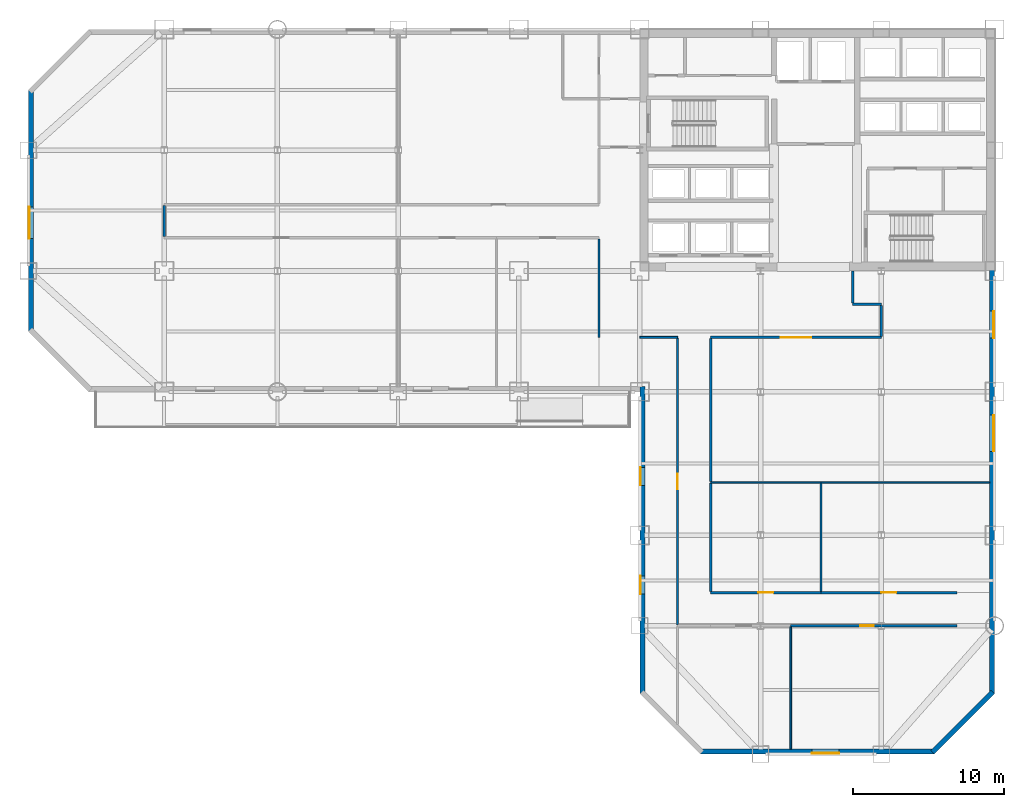
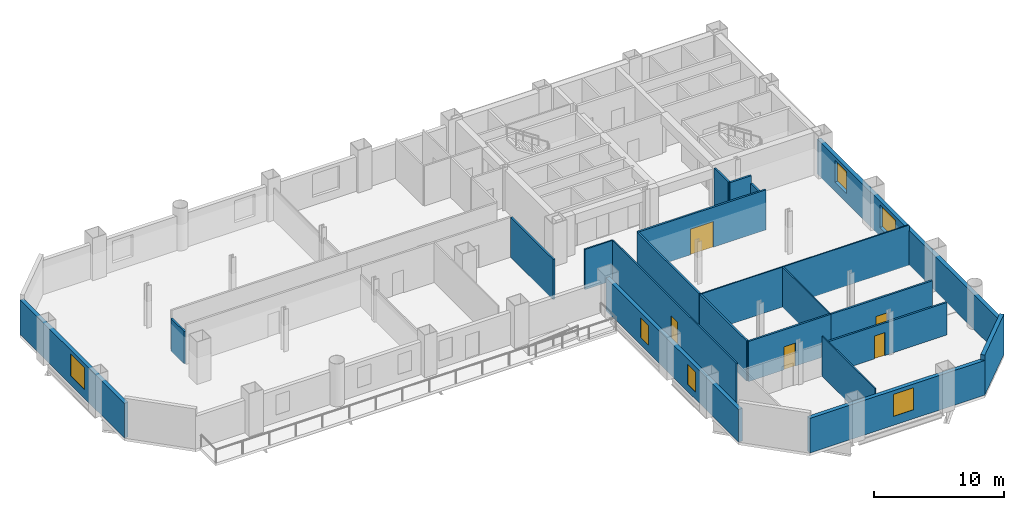
# One storey, part 5 of 9: 22 walls, 6 windows, 5 doors, 11 openings.
"""IFC4 building model written with IfcOpenShell, lengths in metres."""

from ifc_helpers import new_model, si_unit, direction, frame, frame_2d, origin, place, context, subcontext, project, spatial, rectangle, extrude, material, layer, layer_set, type_object, element, fill, save


model = new_model("IFC4")

# Units and contexts
model_context = context("Model", 3, precision=1e-05, world=origin(), true_north=direction((0.0, 1.0)))
body_context = subcontext(model_context, "Body", "Model", "MODEL_VIEW")
ifc_project = project(units=[si_unit("LENGTHUNIT", "METRE"), si_unit("AREAUNIT", "SQUARE_METRE"), si_unit("VOLUMEUNIT", "CUBIC_METRE"), si_unit("PLANEANGLEUNIT", "RADIAN"), si_unit("MASSUNIT", "GRAM", prefix="KILO")], contexts=[model_context])

# Site, building, storey
site_placement = place(None, origin())
site = spatial("IfcSite", under=ifc_project, at=site_placement, CompositionType="ELEMENT")
building_placement = place(site_placement, origin())
building = spatial("IfcBuilding", under=site, at=building_placement, Name="Qianrong Seaharbour Tower", CompositionType="ELEMENT")
storey_placement = place(building_placement, frame((0.0, 0.0, 64.199951171875)))
storey = spatial("IfcBuildingStorey", under=building, at=storey_placement, Name="L15", CompositionType="ELEMENT", Elevation=64.199951171875)

# Walls
ifc_material_1 = material(Name="Fire-rated acoustic gypsum board partition")
ifc_layer_1 = layer(ifc_material_1, 0.1650390625)
ifc_layer_set_1 = layer_set([ifc_layer_1], Name="Fire-rated acoustic gypsum board partition")
wall_type_1 = type_object("IfcWallType", Name="WALL-CORR-PART-165", PredefinedType="PARTITIONING", material=ifc_layer_set_1)
wall_1_placement = place(storey_placement, frame((9.0, 38.2744140625, 0.0), z_axis=(0.0, 0.0, 1.0), x_axis=(0.0, 1.0, 0.0)))
element("IfcWall", 1, at=wall_1_placement, inside=storey, type_object=wall_type_1, Name="L15 Interior Partition Wall 016", PredefinedType="PARTITIONING", context=body_context, shape_type="SweptSolid", body=[
    extrude(rectangle(XDim=2.051025390625, YDim=0.1650390625, at=frame_2d((1.025390625, 0.0))), origin(), (0.0, 0.0, 1.0), 3.0419921875),
])
wall_2_placement = place(storey_placement, frame((37.800048828125, 31.60009765625, 0.0), z_axis=(0.0, 0.0, 1.0), x_axis=(0.0, 1.0, 0.0)))
element("IfcWall", 2, at=wall_2_placement, inside=storey, type_object=wall_type_1, Name="L15 Interior Partition Wall 022", PredefinedType="PARTITIONING", context=body_context, shape_type="SweptSolid", body=[
    extrude(rectangle(XDim=6.525390625, YDim=0.1650390625, at=frame_2d((3.2626953125, 0.0))), origin(), (0.0, 0.0, 1.0), 3.75),
])
wall_3_placement = place(storey_placement, frame((54.60009765625, 36.0, 0.0), z_axis=(0.0, 0.0, 1.0), x_axis=(0.0, -1.0, 0.0)))
element("IfcWall", 3, at=wall_3_placement, inside=storey, type_object=wall_type_1, Name="L15 Interior Partition Wall 023", PredefinedType="PARTITIONING", context=body_context, shape_type="SweptSolid", body=[
    extrude(rectangle(XDim=2.12548828125, YDim=0.1650390625, at=frame_2d((1.062744140625, 0.0))), origin(), (0.0, 0.0, 1.0), 3.75),
])
wall_4_placement = place(storey_placement, frame((54.60009765625, 33.800048828125, 0.0), z_axis=(0.0, 0.0, 1.0), x_axis=(1.0, 0.0, 0.0)))
element("IfcWall", 4, at=wall_4_placement, inside=storey, type_object=wall_type_1, Name="L15 Interior Partition Wall 024", PredefinedType="PARTITIONING", context=body_context, shape_type="SweptSolid", body=[
    extrude(rectangle(XDim=1.89990234375, YDim=0.1650390625, at=frame_2d((0.949951171875, 0.0))), origin(), (0.0, 0.0, 1.0), 3.75),
])
wall_5_placement = place(storey_placement, frame((56.5, 33.7255859375, 0.0), z_axis=(0.0, 0.0, 1.0), x_axis=(0.0, -1.0, 0.0)))
element("IfcWall", 5, at=wall_5_placement, inside=storey, type_object=wall_type_1, Name="L15 Interior Partition Wall 025", PredefinedType="PARTITIONING", context=body_context, shape_type="SweptSolid", body=[
    extrude(rectangle(XDim=2.051025390625, YDim=0.1650390625, at=frame_2d((1.025390625, 0.0))), origin(), (0.0, 0.0, 1.0), 3.0419921875),
])

# Wall, opening, door
wall_6_placement = place(storey_placement, frame((56.5, 31.60009765625, 0.0), z_axis=(0.0, 0.0, 1.0), x_axis=(-1.0, 0.0, 0.0)))
wall_6 = element("IfcWall", 6, at=wall_6_placement, inside=storey, type_object=wall_type_1, Name="L15 Interior Partition Wall 026", PredefinedType="PARTITIONING", context=body_context, shape_type="SweptSolid", body=[
    extrude(rectangle(XDim=11.300048828125, YDim=0.1650390625, at=frame_2d((5.64990234375, 0.0))), origin(), (0.0, 0.0, 1.0), 3.75),
])
opening_1_placement = place(wall_6_placement, frame((4.64990234375, 0.0, 0.0)))
opening_1 = element("IfcOpeningElement", 7, at=opening_1_placement, cuts=wall_6, Name="Opening DA-01", PredefinedType="OPENING", context=body_context, shape_type="SweptSolid", body=[
    extrude(rectangle(XDim=2.0, YDim=2.39990234375, at=frame_2d((1.0, 1.199951171875))), frame((0.0, 0.092529296875, 0.0), z_axis=(0.0, -1.0, 0.0), x_axis=(1.0, 0.0, 0.0)), (0.0, 0.0, 1.0), 0.18505859375),
])
ifc_material_2 = material(Name="Acoustic timber and galvanized steel fire door assembly", Category="steel")
door_type_1 = type_object("IfcDoorType", Name="DOOR-AUD-PAIR-2000x2400", OperationType="DOUBLE_DOOR_SINGLE_SWING", PredefinedType="DOOR", material=ifc_material_2)
door_1_placement = place(opening_1_placement, origin())
door_1 = element("IfcDoor", 8, at=door_1_placement, inside=storey, type_object=door_type_1, Name="L15 Staff Club Assembly Hall Door", OperationType="DOUBLE_DOOR_SINGLE_SWING", OverallHeight=2.39990234375, OverallWidth=2.0, PredefinedType="DOOR", context=body_context, shape_type="SweptSolid", body=[
    extrude(rectangle(XDim=2.0, YDim=2.39990234375, at=frame_2d((1.0, 1.199951171875))), frame((0.0, 0.02490234375, 0.0), z_axis=(0.0, -1.0, 0.0), x_axis=(1.0, 0.0, 0.0)), (0.0, 0.0, 1.0), 0.050048828125),
])
fill(opening_1, door_1)

# Walls
wall_7_placement = place(storey_placement, frame((45.199951171875, 31.525390625, 0.0), z_axis=(0.0, 0.0, 1.0), x_axis=(0.0, -1.0, 0.0)))
element("IfcWall", 9, at=wall_7_placement, inside=storey, type_object=wall_type_1, Name="L15 Interior Partition Wall 028", PredefinedType="PARTITIONING", context=body_context, shape_type="SweptSolid", body=[
    extrude(rectangle(XDim=9.478271484375, YDim=0.1650390625, at=frame_2d((4.7392578125, 0.0))), origin(), (0.0, 0.0, 1.0), 3.75),
])
wall_8_placement = place(storey_placement, frame((45.199951171875, 21.952880859375, 0.0), z_axis=(0.0, 0.0, 1.0), x_axis=(0.0, -1.0, 0.0)))
element("IfcWall", 10, at=wall_8_placement, inside=storey, type_object=wall_type_1, Name="L15 Interior Partition Wall 029", PredefinedType="PARTITIONING", context=body_context, shape_type="SweptSolid", body=[
    extrude(rectangle(XDim=7.178466796875, YDim=0.1650390625, at=frame_2d((3.58935546875, 0.0))), origin(), (0.0, 0.0, 1.0), 3.75),
])

# Wall, opening, door
wall_9_placement = place(storey_placement, frame((45.199951171875, 14.699951171875, 0.0), z_axis=(0.0, 0.0, 1.0), x_axis=(1.0, 0.0, 0.0)))
wall_9 = element("IfcWall", 11, at=wall_9_placement, inside=storey, type_object=wall_type_1, Name="L15 Interior Partition Wall 032", PredefinedType="PARTITIONING", context=body_context, shape_type="SweptSolid", body=[
    extrude(rectangle(XDim=7.300048828125, YDim=0.1650390625, at=frame_2d((3.64990234375, 0.0))), origin(), (0.0, 0.0, 1.0), 3.75),
])
opening_2_placement = place(wall_9_placement, frame((3.14990234375, 0.0, 0.0)))
opening_2 = element("IfcOpeningElement", 12, at=opening_2_placement, cuts=wall_9, Name="Opening DO-01", PredefinedType="OPENING", context=body_context, shape_type="SweptSolid", body=[
    extrude(rectangle(XDim=1.0, YDim=2.14990234375, at=frame_2d((0.5, 1.074951171875))), frame((0.0, 0.092529296875, 0.0), z_axis=(0.0, -1.0, 0.0), x_axis=(1.0, 0.0, 0.0)), (0.0, 0.0, 1.0), 0.18505859375),
])
door_type_2 = type_object("IfcDoorType", Name="DOOR-OFFICE-1000x2150", OperationType="NOTDEFINED", PredefinedType="DOOR", material=ifc_material_2)
door_2_placement = place(opening_2_placement, origin())
door_2 = element("IfcDoor", 13, at=door_2_placement, inside=storey, type_object=door_type_2, Name="L15 Focus Room 1 Door", OperationType="SINGLE_SWING_LEFT", OverallHeight=2.14990234375, OverallWidth=1.0, PredefinedType="DOOR", context=body_context, shape_type="SweptSolid", body=[
    extrude(rectangle(XDim=1.0, YDim=2.14990234375, at=frame_2d((0.5, 1.074951171875))), frame((0.0, 0.02490234375, 0.0), z_axis=(0.0, -1.0, 0.0), x_axis=(1.0, 0.0, 0.0)), (0.0, 0.0, 1.0), 0.050048828125),
])
fill(opening_2, door_2)

wall_10_placement = place(storey_placement, frame((52.5, 14.699951171875, 0.0), z_axis=(0.0, 0.0, 1.0), x_axis=(1.0, 0.0, 0.0)))
wall_10 = element("IfcWall", 14, at=wall_10_placement, inside=storey, type_object=wall_type_1, Name="L15 Interior Partition Wall 033", PredefinedType="PARTITIONING", context=body_context, shape_type="SweptSolid", body=[
    extrude(rectangle(XDim=9.0, YDim=0.1650390625, at=frame_2d((4.5, 0.0))), origin(), (0.0, 0.0, 1.0), 3.75),
])
opening_3_placement = place(wall_10_placement, frame((4.0, 0.0, 0.0)))
opening_3 = element("IfcOpeningElement", 15, at=opening_3_placement, cuts=wall_10, Name="Opening DO-01", PredefinedType="OPENING", context=body_context, shape_type="SweptSolid", body=[
    extrude(rectangle(XDim=1.0, YDim=2.14990234375, at=frame_2d((0.5, 1.074951171875))), frame((0.0, 0.092529296875, 0.0), z_axis=(0.0, -1.0, 0.0), x_axis=(1.0, 0.0, 0.0)), (0.0, 0.0, 1.0), 0.18505859375),
])
door_3_placement = place(opening_3_placement, origin())
door_3 = element("IfcDoor", 16, at=door_3_placement, inside=storey, type_object=door_type_2, Name="L15 Executive Office 2 Door", OperationType="SINGLE_SWING_RIGHT", OverallHeight=2.14990234375, OverallWidth=1.0, PredefinedType="DOOR", context=body_context, shape_type="SweptSolid", body=[
    extrude(rectangle(XDim=1.0, YDim=2.14990234375, at=frame_2d((0.5, 1.074951171875))), frame((0.0, 0.02490234375, 0.0), z_axis=(0.0, -1.0, 0.0), x_axis=(1.0, 0.0, 0.0)), (0.0, 0.0, 1.0), 0.050048828125),
])
fill(opening_3, door_3)

wall_11_placement = place(storey_placement, frame((61.5, 12.5, 0.0), z_axis=(0.0, 0.0, 1.0), x_axis=(-1.0, 0.0, 0.0)))
wall_11 = element("IfcWall", 17, at=wall_11_placement, inside=storey, type_object=wall_type_1, Name="L15 Interior Partition Wall 035", PredefinedType="PARTITIONING", context=body_context, shape_type="SweptSolid", body=[
    extrude(rectangle(XDim=11.0, YDim=0.1650390625, at=frame_2d((5.5, 0.0))), origin(), (0.0, 0.0, 1.0), 3.0419921875),
])
opening_4_placement = place(wall_11_placement, frame((5.5, 0.0, 0.0)))
opening_4 = element("IfcOpeningElement", 18, at=opening_4_placement, cuts=wall_11, Name="Opening DS-01", PredefinedType="OPENING", context=body_context, shape_type="SweptSolid", body=[
    extrude(rectangle(XDim=0.89990234375, YDim=2.14990234375, at=frame_2d((0.449951171875, 1.074951171875))), frame((0.0, 0.092529296875, 0.0), z_axis=(0.0, -1.0, 0.0), x_axis=(1.0, 0.0, 0.0)), (0.0, 0.0, 1.0), 0.18505859375),
])
door_type_3 = type_object("IfcDoorType", Name="DOOR-STORE-900x2150", OperationType="NOTDEFINED", PredefinedType="DOOR", material=ifc_material_2)
door_4_placement = place(opening_4_placement, origin())
door_4 = element("IfcDoor", 19, at=door_4_placement, inside=storey, type_object=door_type_3, Name="L15 Corporate Archive Room 2 Door", OperationType="SINGLE_SWING_LEFT", OverallHeight=2.14990234375, OverallWidth=0.89990234375, PredefinedType="DOOR", context=body_context, shape_type="SweptSolid", body=[
    extrude(rectangle(XDim=0.89990234375, YDim=2.14990234375, at=frame_2d((0.449951171875, 1.074951171875))), frame((0.0, 0.02490234375, 0.0), z_axis=(0.0, -1.0, 0.0), x_axis=(1.0, 0.0, 0.0)), (0.0, 0.0, 1.0), 0.050048828125),
])
fill(opening_4, door_4)

# Walls
ifc_material_3 = material(Name="Demountable aluminium-framed acoustic office partition", Category="aluminium")
ifc_layer_2 = layer(ifc_material_3, 0.110107421875)
ifc_layer_set_2 = layer_set([ifc_layer_2], Name="Demountable aluminium-framed acoustic office partition")
wall_type_2 = type_object("IfcWallType", Name="WALL-DEMOUNT-110", PredefinedType="MOVABLE", material=ifc_layer_set_2)
wall_12_placement = place(storey_placement, frame((52.5, 22.0, 0.0), z_axis=(0.0, 0.0, 1.0), x_axis=(-1.0, 0.0, 0.0)))
element("IfcWall", 20, at=wall_12_placement, inside=storey, type_object=wall_type_2, Name="L15 Interior Partition Wall 039", PredefinedType="MOVABLE", context=body_context, shape_type="SweptSolid", body=[
    extrude(rectangle(XDim=7.300048828125, YDim=0.110107421875, at=frame_2d((3.64990234375, 0.0))), origin(), (0.0, 0.0, 1.0), 3.75),
])
wall_13_placement = place(storey_placement, frame((63.66796875, 22.0, 0.0), z_axis=(0.0, 0.0, 1.0), x_axis=(-1.0, 0.0, 0.0)))
element("IfcWall", 21, at=wall_13_placement, inside=storey, type_object=wall_type_2, Name="L15 Interior Partition Wall 040", PredefinedType="MOVABLE", context=body_context, shape_type="SweptSolid", body=[
    extrude(rectangle(XDim=11.16796875, YDim=0.110107421875, at=frame_2d((5.583984375, 0.0))), origin(), (0.0, 0.0, 1.0), 3.75),
])
wall_14_placement = place(storey_placement, frame((52.5, 21.952880859375, 0.0), z_axis=(0.0, 0.0, 1.0), x_axis=(0.0, -1.0, 0.0)))
element("IfcWall", 22, at=wall_14_placement, inside=storey, type_object=wall_type_2, Name="L15 Interior Partition Wall 041", PredefinedType="MOVABLE", context=body_context, shape_type="SweptSolid", body=[
    extrude(rectangle(XDim=7.178466796875, YDim=0.110107421875, at=frame_2d((3.58935546875, 0.0))), origin(), (0.0, 0.0, 1.0), 3.75),
])
wall_15_placement = place(storey_placement, frame((50.5, 12.425537109375, 0.0), z_axis=(0.0, 0.0, 1.0), x_axis=(0.0, -1.0, 0.0)))
element("IfcWall", 23, at=wall_15_placement, inside=storey, type_object=wall_type_2, Name="L15 Interior Partition Wall 043", PredefinedType="MOVABLE", context=body_context, shape_type="SweptSolid", body=[
    extrude(rectangle(XDim=8.093505859375, YDim=0.110107421875, at=frame_2d((4.046875, 0.0))), origin(), (0.0, 0.0, 1.0), 3.75),
])

# Wall, openings, windows
ifc_material_4 = material(Name="Unitised buff brick on Precast concrete C45/55", Category="masonry")
ifc_layer_3 = layer(ifc_material_4, 0.340087890625)
ifc_layer_set_3 = layer_set([ifc_layer_3], Name="Unitised buff brick on Precast concrete C45/55")
wall_type_3 = type_object("IfcWallType", Name="WALL-EXT-BRICK-BUFF-340", PredefinedType="SOLIDWALL", material=ifc_layer_set_3)
wall_16_placement = place(storey_placement, frame((40.669921875, 8.0, 0.0), z_axis=(0.0, 0.0, 1.0), x_axis=(0.0, 1.0, 0.0)))
wall_16 = element("IfcWall", 24, at=wall_16_placement, inside=storey, type_object=wall_type_3, Name="L15 Exterior Masonry Facade Wall REENTRANT_WEST", PredefinedType="SOLIDWALL", context=body_context, shape_type="SweptSolid", body=[
    extrude(rectangle(XDim=20.340087890625, YDim=0.340087890625, at=frame_2d((10.169921875, 0.0))), origin(), (0.0, 0.0, 1.0), 3.050048828125),
])
opening_5_placement = place(wall_16_placement, frame((6.60009765625, 0.0, 0.699951171875)))
opening_5 = element("IfcOpeningElement", 25, at=opening_5_placement, cuts=wall_16, Name="Opening WN-01", PredefinedType="OPENING", context=body_context, shape_type="SweptSolid", body=[
    extrude(rectangle(XDim=1.199951171875, YDim=1.85009765625, at=frame_2d((0.60009765625, 0.925048828125))), frame((0.0, 0.18017578125, 0.0), z_axis=(0.0, -1.0, 0.0), x_axis=(1.0, 0.0, 0.0)), (0.0, 0.0, 1.0), 0.360107421875),
])
opening_6_placement = place(wall_16_placement, frame((13.800048828125, 0.0, 0.699951171875)))
opening_6 = element("IfcOpeningElement", 26, at=opening_6_placement, cuts=wall_16, Name="Opening WN-01", PredefinedType="OPENING", context=body_context, shape_type="SweptSolid", body=[
    extrude(rectangle(XDim=1.199951171875, YDim=1.85009765625, at=frame_2d((0.60009765625, 0.925048828125))), frame((0.0, 0.18017578125, 0.0), z_axis=(0.0, -1.0, 0.0), x_axis=(1.0, 0.0, 0.0)), (0.0, 0.0, 1.0), 0.360107421875),
])
ifc_material_5 = material(Name="Insulated low-e double glazing in thermally broken aluminium 6063-T6 frame", Category="aluminium")
window_type_1 = type_object("IfcWindowType", Name="WIN-PUNCH-1200x1850", PartitioningType="DOUBLE_PANEL_VERTICAL", PredefinedType="WINDOW", material=ifc_material_5)
window_1_placement = place(opening_5_placement, origin())
window_1 = element("IfcWindow", 27, at=window_1_placement, inside=storey, type_object=window_type_1, Name="L15 Deep-Set Punched Window 00.02", OverallHeight=1.85009765625, OverallWidth=1.199951171875, PartitioningType="DOUBLE_PANEL_VERTICAL", PredefinedType="WINDOW", context=body_context, shape_type="SweptSolid", body=[
    extrude(rectangle(XDim=1.199951171875, YDim=1.85009765625, at=frame_2d((0.60009765625, 0.925048828125))), frame((0.0, 0.150146484375, 0.0), z_axis=(0.0, -1.0, 0.0), x_axis=(1.0, 0.0, 0.0)), (0.0, 0.0, 1.0), 0.06005859375),
])
fill(opening_5, window_1)
window_2_placement = place(opening_6_placement, origin())
window_2 = element("IfcWindow", 28, at=window_2_placement, inside=storey, type_object=window_type_1, Name="L15 Deep-Set Punched Window 00.04", OverallHeight=1.85009765625, OverallWidth=1.199951171875, PartitioningType="DOUBLE_PANEL_VERTICAL", PredefinedType="WINDOW", context=body_context, shape_type="SweptSolid", body=[
    extrude(rectangle(XDim=1.199951171875, YDim=1.85009765625, at=frame_2d((0.60009765625, 0.925048828125))), frame((0.0, 0.150146484375, 0.0), z_axis=(0.0, -1.0, 0.0), x_axis=(1.0, 0.0, 0.0)), (0.0, 0.0, 1.0), 0.06005859375),
])
fill(opening_6, window_2)

# Wall, opening, window
wall_17_placement = place(storey_placement, frame((0.169921875, 32.0, 0.0), z_axis=(0.0, 0.0, 1.0), x_axis=(0.0, 1.0, 0.0)))
wall_17 = element("IfcWall", 29, at=wall_17_placement, inside=storey, type_object=wall_type_3, Name="L15 Exterior Masonry Facade Wall WEST_TIP", PredefinedType="SOLIDWALL", context=body_context, shape_type="SweptSolid", body=[
    extrude(rectangle(XDim=16.0, YDim=0.340087890625, at=frame_2d((8.0, 0.0))), origin(), (0.0, 0.0, 1.0), 3.25),
])
opening_7_placement = place(wall_17_placement, frame((6.14990234375, 0.0, 0.85009765625)))
opening_7 = element("IfcOpeningElement", 30, at=opening_7_placement, cuts=wall_17, Name="Opening WN-06", PredefinedType="OPENING", context=body_context, shape_type="SweptSolid", body=[
    extrude(rectangle(XDim=2.10009765625, YDim=2.050048828125, at=frame_2d((1.050048828125, 1.02490234375))), frame((0.0, 0.18017578125, 0.0), z_axis=(0.0, -1.0, 0.0), x_axis=(1.0, 0.0, 0.0)), (0.0, 0.0, 1.0), 0.360107421875),
])
window_type_2 = type_object("IfcWindowType", Name="WIN-PUNCH-2100x2050", PartitioningType="TRIPLE_PANEL_VERTICAL", PredefinedType="WINDOW", material=ifc_material_5)
window_3_placement = place(opening_7_placement, origin())
window_3 = element("IfcWindow", 31, at=window_3_placement, inside=storey, type_object=window_type_2, Name="L15 Deep-Set Punched Window 03.02", OverallHeight=2.050048828125, OverallWidth=2.10009765625, PartitioningType="TRIPLE_PANEL_VERTICAL", PredefinedType="WINDOW", context=body_context, shape_type="SweptSolid", body=[
    extrude(rectangle(XDim=2.10009765625, YDim=2.050048828125, at=frame_2d((1.050048828125, 1.02490234375))), frame((0.0, 0.150146484375, 0.0), z_axis=(0.0, -1.0, 0.0), x_axis=(1.0, 0.0, 0.0)), (0.0, 0.0, 1.0), 0.06005859375),
])
fill(opening_7, window_3)

# Wall, openings, windows
wall_18_placement = place(storey_placement, frame((63.830078125, 36.050048828125, 0.0), z_axis=(0.0, 0.0, 1.0), x_axis=(0.0, -1.0, 0.0)))
wall_18 = element("IfcWall", 32, at=wall_18_placement, inside=storey, type_object=wall_type_3, Name="L15 Exterior Masonry Facade Wall EAST_WING", PredefinedType="SOLIDWALL", context=body_context, shape_type="SweptSolid", body=[
    extrude(rectangle(XDim=28.050048828125, YDim=0.340087890625, at=frame_2d((14.02490234375, 0.0))), origin(), (0.0, 0.0, 1.0), 3.25),
])
opening_8_placement = place(wall_18_placement, frame((2.699951171875, 0.0, 0.85009765625)))
opening_8 = element("IfcOpeningElement", 33, at=opening_8_placement, cuts=wall_18, Name="Opening WN-05", PredefinedType="OPENING", context=body_context, shape_type="SweptSolid", body=[
    extrude(rectangle(XDim=1.800048828125, YDim=2.050048828125, at=frame_2d((0.89990234375, 1.02490234375))), frame((0.0, 0.18017578125, 0.0), z_axis=(0.0, -1.0, 0.0), x_axis=(1.0, 0.0, 0.0)), (0.0, 0.0, 1.0), 0.360107421875),
])
opening_9_placement = place(wall_18_placement, frame((9.60009765625, 0.0, 0.800048828125)))
opening_9 = element("IfcOpeningElement", 34, at=opening_9_placement, cuts=wall_18, Name="Opening WN-07", PredefinedType="OPENING", context=body_context, shape_type="SweptSolid", body=[
    extrude(rectangle(XDim=2.39990234375, YDim=2.14990234375, at=frame_2d((1.199951171875, 1.074951171875))), frame((0.0, 0.18017578125, 0.0), z_axis=(0.0, -1.0, 0.0), x_axis=(1.0, 0.0, 0.0)), (0.0, 0.0, 1.0), 0.360107421875),
])
window_type_3 = type_object("IfcWindowType", Name="WIN-PUNCH-1800x2050", PartitioningType="TRIPLE_PANEL_VERTICAL", PredefinedType="WINDOW", material=ifc_material_5)
window_4_placement = place(opening_8_placement, origin())
window_4 = element("IfcWindow", 35, at=window_4_placement, inside=storey, type_object=window_type_3, Name="L15 Deep-Set Punched Window 06.01", OverallHeight=2.050048828125, OverallWidth=1.800048828125, PartitioningType="TRIPLE_PANEL_VERTICAL", PredefinedType="WINDOW", context=body_context, shape_type="SweptSolid", body=[
    extrude(rectangle(XDim=1.800048828125, YDim=2.050048828125, at=frame_2d((0.89990234375, 1.02490234375))), frame((0.0, 0.150146484375, 0.0), z_axis=(0.0, -1.0, 0.0), x_axis=(1.0, 0.0, 0.0)), (0.0, 0.0, 1.0), 0.06005859375),
])
fill(opening_8, window_4)
window_type_4 = type_object("IfcWindowType", Name="WIN-PUNCH-2400x2150", PartitioningType="TRIPLE_PANEL_VERTICAL", PredefinedType="WINDOW", material=ifc_material_5)
window_5_placement = place(opening_9_placement, origin())
window_5 = element("IfcWindow", 36, at=window_5_placement, inside=storey, type_object=window_type_4, Name="L15 Deep-Set Punched Window 06.03", OverallHeight=2.14990234375, OverallWidth=2.39990234375, PartitioningType="TRIPLE_PANEL_VERTICAL", PredefinedType="WINDOW", context=body_context, shape_type="SweptSolid", body=[
    extrude(rectangle(XDim=2.39990234375, YDim=2.14990234375, at=frame_2d((1.199951171875, 1.074951171875))), frame((0.0, 0.150146484375, 0.0), z_axis=(0.0, -1.0, 0.0), x_axis=(1.0, 0.0, 0.0)), (0.0, 0.0, 1.0), 0.06005859375),
])
fill(opening_9, window_5)

# Wall
wall_19_placement = place(storey_placement, frame((63.8798828125, 8.1201171875, 0.0), z_axis=(0.0, 0.0, 1.0), x_axis=(-0.707106781187, -0.707106781187, 0.0)))
element("IfcWall", 37, at=wall_19_placement, inside=storey, type_object=wall_type_3, Name="L15 Exterior Masonry Facade Wall E07", PredefinedType="SOLIDWALL", context=body_context, shape_type="SweptSolid", body=[
    extrude(rectangle(XDim=5.65673828125, YDim=0.340087890625, at=frame_2d((2.828369140625, 0.0))), origin(), (0.0, 0.0, 1.0), 3.75),
])

# Wall, opening, window
wall_20_placement = place(storey_placement, frame((60.0, 4.169921875, 0.0), z_axis=(0.0, 0.0, 1.0), x_axis=(-1.0, 0.0, 0.0)))
wall_20 = element("IfcWall", 38, at=wall_20_placement, inside=storey, type_object=wall_type_3, Name="L15 Exterior Masonry Facade Wall SOUTH_TIP", PredefinedType="SOLIDWALL", context=body_context, shape_type="SweptSolid", body=[
    extrude(rectangle(XDim=15.5, YDim=0.340087890625, at=frame_2d((7.75, 0.0))), origin(), (0.0, 0.0, 1.0), 3.25),
])
opening_10_placement = place(wall_20_placement, frame((6.300048828125, 0.0, 0.85009765625)))
opening_10 = element("IfcOpeningElement", 39, at=opening_10_placement, cuts=wall_20, Name="Opening WN-05", PredefinedType="OPENING", context=body_context, shape_type="SweptSolid", body=[
    extrude(rectangle(XDim=1.800048828125, YDim=2.050048828125, at=frame_2d((0.89990234375, 1.02490234375))), frame((0.0, 0.18017578125, 0.0), z_axis=(0.0, -1.0, 0.0), x_axis=(1.0, 0.0, 0.0)), (0.0, 0.0, 1.0), 0.360107421875),
])
window_6_placement = place(opening_10_placement, origin())
window_6 = element("IfcWindow", 40, at=window_6_placement, inside=storey, type_object=window_type_3, Name="L15 Deep-Set Punched Window 08.02", OverallHeight=2.050048828125, OverallWidth=1.800048828125, PartitioningType="TRIPLE_PANEL_VERTICAL", PredefinedType="WINDOW", context=body_context, shape_type="SweptSolid", body=[
    extrude(rectangle(XDim=1.800048828125, YDim=2.050048828125, at=frame_2d((0.89990234375, 1.02490234375))), frame((0.0, 0.150146484375, 0.0), z_axis=(0.0, -1.0, 0.0), x_axis=(1.0, 0.0, 0.0)), (0.0, 0.0, 1.0), 0.06005859375),
])
fill(opening_10, window_6)

# Wall
ifc_material_6 = material(Name="Water-resistant cement board sanitary partition")
ifc_layer_4 = layer(ifc_material_6, 0.1298828125)
ifc_layer_set_4 = layer_set([ifc_layer_4], Name="Water-resistant cement board sanitary partition")
wall_type_4 = type_object("IfcWallType", Name="WALL-WET-PART-130", PredefinedType="PARTITIONING", material=ifc_layer_set_4)
wall_21_placement = place(storey_placement, frame((43.0, 31.60009765625, 0.0), z_axis=(0.0, 0.0, 1.0), x_axis=(-1.0, 0.0, 0.0)))
element("IfcWall", 41, at=wall_21_placement, inside=storey, type_object=wall_type_4, Name="L15 Interior Partition Wall 027", PredefinedType="PARTITIONING", context=body_context, shape_type="SweptSolid", body=[
    extrude(rectangle(XDim=2.5, YDim=0.1298828125, at=frame_2d((1.25, 0.0))), origin(), (0.0, 0.0, 1.0), 3.75),
])

# Wall, opening, door
wall_22_placement = place(storey_placement, frame((43.0, 12.574462890625, 0.0), z_axis=(0.0, 0.0, 1.0), x_axis=(0.0, 1.0, 0.0)))
wall_22 = element("IfcWall", 42, at=wall_22_placement, inside=storey, type_object=wall_type_4, Name="L15 Interior Partition Wall 030", PredefinedType="PARTITIONING", context=body_context, shape_type="SweptSolid", body=[
    extrude(rectangle(XDim=18.968505859375, YDim=0.1298828125, at=frame_2d((9.484375, 0.0))), origin(), (0.0, 0.0, 1.0), 3.75),
])
opening_11_placement = place(wall_22_placement, frame((8.984130859375, 0.0, 0.0)))
opening_11 = element("IfcOpeningElement", 43, at=opening_11_placement, cuts=wall_22, Name="Opening DO-01", PredefinedType="OPENING", context=body_context, shape_type="SweptSolid", body=[
    extrude(rectangle(XDim=1.0, YDim=2.14990234375, at=frame_2d((0.5, 1.074951171875))), frame((0.0, 0.074951171875, 0.0), z_axis=(0.0, -1.0, 0.0), x_axis=(1.0, 0.0, 0.0)), (0.0, 0.0, 1.0), 0.14990234375),
])
door_5_placement = place(opening_11_placement, origin())
door_5 = element("IfcDoor", 44, at=door_5_placement, inside=storey, type_object=door_type_2, Name="L15 Wet Pantry Door", OperationType="SINGLE_SWING_LEFT", OverallHeight=2.14990234375, OverallWidth=1.0, PredefinedType="DOOR", context=body_context, shape_type="SweptSolid", body=[
    extrude(rectangle(XDim=1.0, YDim=2.14990234375, at=frame_2d((0.5, 1.074951171875))), frame((0.0, 0.02490234375, 0.0), z_axis=(0.0, -1.0, 0.0), x_axis=(1.0, 0.0, 0.0)), (0.0, 0.0, 1.0), 0.050048828125),
])
fill(opening_11, door_5)

save(model, "model.ifc")
